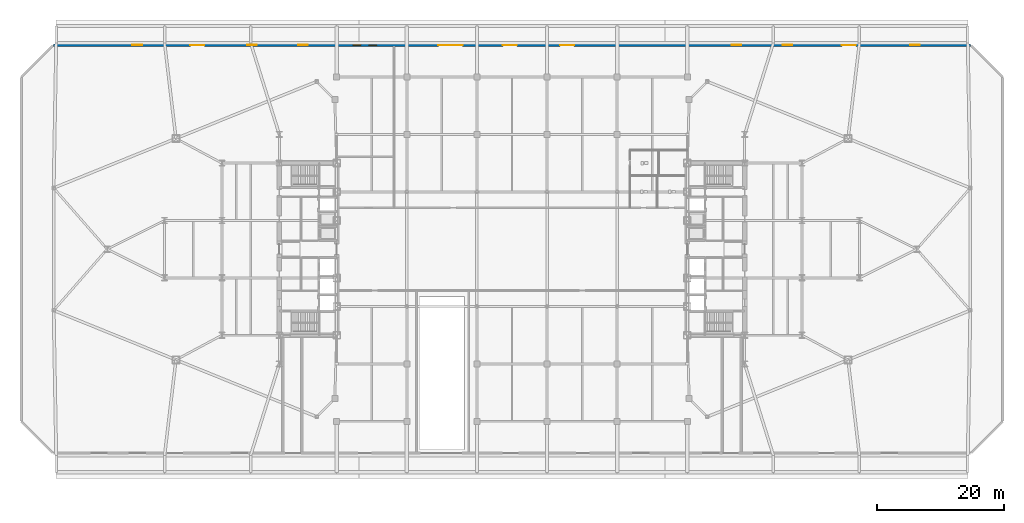
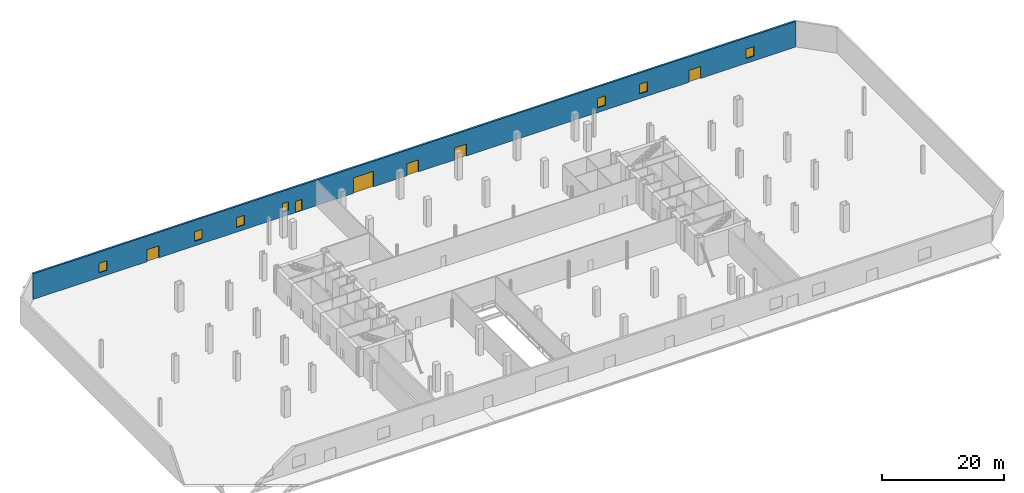
# One storey, part 16 of 21: 7 windows, 6 doors, 1 wall, 13 openings.
"""IFC4 building model written with IfcOpenShell, lengths in metres."""

from ifc_helpers import new_model, si_unit, direction, frame, frame_2d, origin, place, context, subcontext, project, spatial, rectangle, extrude, source, transform, mapped, material, layer, layer_set, type_object, type_shapes, element, fill, save


model = new_model("IFC4")

# Units and contexts
model_context = context("Model", 3, precision=1e-05, world=origin(), true_north=direction((0.0, 1.0)))
body_context = subcontext(model_context, "Body", "Model", "MODEL_VIEW")
ifc_project = project(units=[si_unit("LENGTHUNIT", "METRE"), si_unit("AREAUNIT", "SQUARE_METRE"), si_unit("VOLUMEUNIT", "CUBIC_METRE"), si_unit("PLANEANGLEUNIT", "RADIAN"), si_unit("MASSUNIT", "GRAM", prefix="KILO")], contexts=[model_context])

# Site, building, storey
site_placement = place(None, origin())
site = spatial("IfcSite", under=ifc_project, at=site_placement, CompositionType="ELEMENT")
building_placement = place(site_placement, origin())
building = spatial("IfcBuilding", under=site, at=building_placement, Name="Seokmaru Belvedere", CompositionType="ELEMENT")
storey_placement = place(building_placement, origin())
storey = spatial("IfcBuildingStorey", under=building, at=storey_placement, Name="L00", CompositionType="ELEMENT", Elevation=0.0)

# Wall, openings, doors, windows
ifc_material_1 = material(Name="Concrete C40 (40 MPa)", Category="concrete")
ifc_layer = layer(ifc_material_1, 0.360107421875)
ifc_layer_set = layer_set([ifc_layer], Name="Concrete C40 (40 MPa)")
wall_type = type_object("IfcWallType", Name="Podium Board-Formed Concrete Wall 360", PredefinedType="SOLIDWALL", material=ifc_layer_set)
wall_placement = place(storey_placement, frame((71.9599609375, 32.0, 0.0), z_axis=(0.0, 0.0, 1.0), x_axis=(-1.0, 0.0, 0.0)))
wall = element("IfcWall", 1, at=wall_placement, inside=storey, type_object=wall_type, Name="L00 Exterior Podium Wall 05", PredefinedType="SOLIDWALL", context=body_context, shape_type="SweptSolid", body=[
    extrude(rectangle(XDim=143.919921875, YDim=0.360107421875, at=frame_2d((71.9599609375, 0.0))), origin(), (0.0, 0.0, 1.0), 5.1201171875),
])
opening_1_placement = place(wall_placement, frame((18.0, 0.0, 0.0)))
opening_1 = element("IfcOpeningElement", 2, at=opening_1_placement, cuts=wall, Name="Opening DX1", PredefinedType="OPENING", context=body_context, shape_type="SweptSolid", body=[
    extrude(rectangle(XDim=2.199951171875, YDim=2.39990234375, at=frame_2d((1.10009765625, 1.199951171875))), frame((0.0, 0.18994140625, 0.0), z_axis=(0.0, -1.0, 0.0), x_axis=(1.0, 0.0, 0.0)), (0.0, 0.0, 1.0), 0.380126953125),
])
opening_2_placement = place(wall_placement, frame((62.199951171875, 0.0, 0.0)))
opening_2 = element("IfcOpeningElement", 3, at=opening_2_placement, cuts=wall, Name="Opening DX1", PredefinedType="OPENING", context=body_context, shape_type="SweptSolid", body=[
    extrude(rectangle(XDim=2.199951171875, YDim=2.39990234375, at=frame_2d((1.10009765625, 1.199951171875))), frame((0.0, 0.18994140625, 0.0), z_axis=(0.0, -1.0, 0.0), x_axis=(1.0, 0.0, 0.0)), (0.0, 0.0, 1.0), 0.380126953125),
])
opening_3_placement = place(wall_placement, frame((71.199951171875, 0.0, 0.0)))
opening_3 = element("IfcOpeningElement", 4, at=opening_3_placement, cuts=wall, Name="Opening DX1", PredefinedType="OPENING", context=body_context, shape_type="SweptSolid", body=[
    extrude(rectangle(XDim=2.199951171875, YDim=2.39990234375, at=frame_2d((1.10009765625, 1.199951171875))), frame((0.0, 0.18994140625, 0.0), z_axis=(0.0, -1.0, 0.0), x_axis=(1.0, 0.0, 0.0)), (0.0, 0.0, 1.0), 0.380126953125),
])
opening_4_placement = place(wall_placement, frame((79.699951171875, 0.0, 0.0)))
opening_4 = element("IfcOpeningElement", 5, at=opening_4_placement, cuts=wall, Name="Opening VD02", PredefinedType="OPENING", context=body_context, shape_type="SweptSolid", body=[
    extrude(rectangle(XDim=3.800048828125, YDim=3.10009765625, at=frame_2d((1.89990234375, 1.550048828125))), frame((0.0, 0.18994140625, 0.0), z_axis=(0.0, -1.0, 0.0), x_axis=(1.0, 0.0, 0.0)), (0.0, 0.0, 1.0), 0.380126953125),
])
opening_5_placement = place(wall_placement, frame((93.199951171875, 0.0, 0.0)))
opening_5 = element("IfcOpeningElement", 6, at=opening_5_placement, cuts=wall, Name="Opening DX5", PredefinedType="OPENING", context=body_context, shape_type="SweptSolid", body=[
    extrude(rectangle(XDim=1.199951171875, YDim=2.199951171875, at=frame_2d((0.60009765625, 1.10009765625))), frame((0.0, 0.18994140625, 0.0), z_axis=(0.0, -1.0, 0.0), x_axis=(1.0, 0.0, 0.0)), (0.0, 0.0, 1.0), 0.380126953125),
])
opening_6_placement = place(wall_placement, frame((120.199951171875, 0.0, 0.0)))
opening_6 = element("IfcOpeningElement", 7, at=opening_6_placement, cuts=wall, Name="Opening DX1", PredefinedType="OPENING", context=body_context, shape_type="SweptSolid", body=[
    extrude(rectangle(XDim=2.199951171875, YDim=2.39990234375, at=frame_2d((1.10009765625, 1.199951171875))), frame((0.0, 0.18994140625, 0.0), z_axis=(0.0, -1.0, 0.0), x_axis=(1.0, 0.0, 0.0)), (0.0, 0.0, 1.0), 0.380126953125),
])
opening_7_placement = place(wall_placement, frame((95.699951171875, 0.0, 0.949951171875)))
opening_7 = element("IfcOpeningElement", 8, at=opening_7_placement, cuts=wall, Name="Opening WN4", PredefinedType="OPENING", context=body_context, shape_type="SweptSolid", body=[
    extrude(rectangle(XDim=1.199951171875, YDim=1.699951171875, at=frame_2d((0.60009765625, 0.85009765625))), frame((0.0, 0.18994140625, 0.0), z_axis=(0.0, -1.0, 0.0), x_axis=(1.0, 0.0, 0.0)), (0.0, 0.0, 1.0), 0.380126953125),
])
opening_8_placement = place(wall_placement, frame((8.0, 0.0, 0.949951171875)))
opening_8 = element("IfcOpeningElement", 9, at=opening_8_placement, cuts=wall, Name="Opening WN3", PredefinedType="OPENING", context=body_context, shape_type="SweptSolid", body=[
    extrude(rectangle(XDim=1.5, YDim=1.89990234375, at=frame_2d((0.75, 0.949951171875))), frame((0.0, 0.18994140625, 0.0), z_axis=(0.0, -1.0, 0.0), x_axis=(1.0, 0.0, 0.0)), (0.0, 0.0, 1.0), 0.380126953125),
])
opening_9_placement = place(wall_placement, frame((28.0, 0.0, 0.949951171875)))
opening_9 = element("IfcOpeningElement", 10, at=opening_9_placement, cuts=wall, Name="Opening WN3", PredefinedType="OPENING", context=body_context, shape_type="SweptSolid", body=[
    extrude(rectangle(XDim=1.5, YDim=1.89990234375, at=frame_2d((0.75, 0.949951171875))), frame((0.0, 0.18994140625, 0.0), z_axis=(0.0, -1.0, 0.0), x_axis=(1.0, 0.0, 0.0)), (0.0, 0.0, 1.0), 0.380126953125),
])
opening_10_placement = place(wall_placement, frame((36.0, 0.0, 0.949951171875)))
opening_10 = element("IfcOpeningElement", 11, at=opening_10_placement, cuts=wall, Name="Opening WN3", PredefinedType="OPENING", context=body_context, shape_type="SweptSolid", body=[
    extrude(rectangle(XDim=1.5, YDim=1.89990234375, at=frame_2d((0.75, 0.949951171875))), frame((0.0, 0.18994140625, 0.0), z_axis=(0.0, -1.0, 0.0), x_axis=(1.0, 0.0, 0.0)), (0.0, 0.0, 1.0), 0.380126953125),
])
opening_11_placement = place(wall_placement, frame((104.0, 0.0, 0.949951171875)))
opening_11 = element("IfcOpeningElement", 12, at=opening_11_placement, cuts=wall, Name="Opening WN3", PredefinedType="OPENING", context=body_context, shape_type="SweptSolid", body=[
    extrude(rectangle(XDim=1.5, YDim=1.89990234375, at=frame_2d((0.75, 0.949951171875))), frame((0.0, 0.18994140625, 0.0), z_axis=(0.0, -1.0, 0.0), x_axis=(1.0, 0.0, 0.0)), (0.0, 0.0, 1.0), 0.380126953125),
])
opening_12_placement = place(wall_placement, frame((112.0, 0.0, 0.949951171875)))
opening_12 = element("IfcOpeningElement", 13, at=opening_12_placement, cuts=wall, Name="Opening WN3", PredefinedType="OPENING", context=body_context, shape_type="SweptSolid", body=[
    extrude(rectangle(XDim=1.5, YDim=1.89990234375, at=frame_2d((0.75, 0.949951171875))), frame((0.0, 0.18994140625, 0.0), z_axis=(0.0, -1.0, 0.0), x_axis=(1.0, 0.0, 0.0)), (0.0, 0.0, 1.0), 0.380126953125),
])
opening_13_placement = place(wall_placement, frame((130.0, 0.0, 0.949951171875)))
opening_13 = element("IfcOpeningElement", 14, at=opening_13_placement, cuts=wall, Name="Opening WN3", PredefinedType="OPENING", context=body_context, shape_type="SweptSolid", body=[
    extrude(rectangle(XDim=1.5, YDim=1.89990234375, at=frame_2d((0.75, 0.949951171875))), frame((0.0, 0.18994140625, 0.0), z_axis=(0.0, -1.0, 0.0), x_axis=(1.0, 0.0, 0.0)), (0.0, 0.0, 1.0), 0.380126953125),
])
ifc_material_2 = material(Name="Anodised Bronze Aluminium", Category="aluminium")
door_type_1 = type_object("IfcDoorType", Name="Grand Concourse Double Exit Door 2200x2400", OperationType="DOUBLE_SWING_LEFT", PredefinedType="DOOR", material=ifc_material_2)
shared_shape_1 = source(origin(), body_context, "Body", "SweptSolid", [
    extrude(rectangle(XDim=2.199951171875, YDim=2.39990234375, at=frame_2d((1.10009765625, 1.199951171875))), frame((0.0, 0.02490234375, 0.0), z_axis=(0.0, -1.0, 0.0), x_axis=(1.0, 0.0, 0.0)), (0.0, 0.0, 1.0), 0.050048828125),
])
type_shapes(door_type_1, [shared_shape_1])
door_1_placement = place(opening_1_placement, frame((2.199951171875, 0.0, 0.0), z_axis=(0.0, 0.0, 1.0), x_axis=(-1.0, 0.0, 0.0)))
door_1 = element("IfcDoor", 15, at=door_1_placement, inside=storey, type_object=door_type_1, Name="L00 East North Exit Door", OperationType="DOUBLE_SWING_LEFT", OverallHeight=2.39990234375, OverallWidth=2.199951171875, PredefinedType="DOOR", context=body_context, shape_type="MappedRepresentation", body=[
    mapped(shared_shape_1, transform((0.0, 0.0, 0.0), scale=1.0)),
])
fill(opening_1, door_1)
door_2_placement = place(opening_2_placement, frame((2.199951171875, 0.0, 0.0), z_axis=(0.0, 0.0, 1.0), x_axis=(-1.0, 0.0, 0.0)))
door_2 = element("IfcDoor", 16, at=door_2_placement, inside=storey, type_object=door_type_1, Name="L00 Observatory Hall Exit Door 1", OperationType="DOUBLE_SWING_LEFT", OverallHeight=2.39990234375, OverallWidth=2.199951171875, PredefinedType="DOOR", context=body_context, shape_type="MappedRepresentation", body=[
    mapped(shared_shape_1, transform((0.0, 0.0, 0.0), scale=1.0)),
])
fill(opening_2, door_2)
door_3_placement = place(opening_3_placement, frame((2.199951171875, 0.0, 0.0), z_axis=(0.0, 0.0, 1.0), x_axis=(-1.0, 0.0, 0.0)))
door_3 = element("IfcDoor", 17, at=door_3_placement, inside=storey, type_object=door_type_1, Name="L00 Observatory Hall Exit Door 2", OperationType="DOUBLE_SWING_LEFT", OverallHeight=2.39990234375, OverallWidth=2.199951171875, PredefinedType="DOOR", context=body_context, shape_type="MappedRepresentation", body=[
    mapped(shared_shape_1, transform((0.0, 0.0, 0.0), scale=1.0)),
])
fill(opening_3, door_3)
door_4_placement = place(opening_6_placement, frame((2.199951171875, 0.0, 0.0), z_axis=(0.0, 0.0, 1.0), x_axis=(-1.0, 0.0, 0.0)))
door_4 = element("IfcDoor", 18, at=door_4_placement, inside=storey, type_object=door_type_1, Name="L00 West North Exit Door", OperationType="DOUBLE_SWING_LEFT", OverallHeight=2.39990234375, OverallWidth=2.199951171875, PredefinedType="DOOR", context=body_context, shape_type="MappedRepresentation", body=[
    mapped(shared_shape_1, transform((0.0, 0.0, 0.0), scale=1.0)),
])
fill(opening_6, door_4)
ifc_material_3 = material(Name="Fire-Rated Steel Leaf", Category="steel")
door_type_2 = type_object("IfcDoorType", Name="Service Loading Bay Roller Shutter Gate 3800x3100", OperationType="ROLLINGUP", PredefinedType="GATE", material=ifc_material_3)
shared_shape_2 = source(origin(), body_context, "Body", "SweptSolid", [
    extrude(rectangle(XDim=3.800048828125, YDim=3.10009765625, at=frame_2d((1.89990234375, 1.550048828125))), frame((0.0, 0.02490234375, 0.0), z_axis=(0.0, -1.0, 0.0), x_axis=(1.0, 0.0, 0.0)), (0.0, 0.0, 1.0), 0.050048828125),
])
type_shapes(door_type_2, [shared_shape_2])
door_5_placement = place(opening_4_placement, frame((3.800048828125, 0.0, 0.0), z_axis=(0.0, 0.0, 1.0), x_axis=(-1.0, 0.0, 0.0)))
door_5 = element("IfcDoor", 19, at=door_5_placement, inside=storey, type_object=door_type_2, Name="L00 Service Loading Shutter Gate VD-02", OperationType="ROLLINGUP", OverallHeight=3.10009765625, OverallWidth=3.800048828125, PredefinedType="GATE", context=body_context, shape_type="MappedRepresentation", body=[
    mapped(shared_shape_2, transform((0.0, 0.0, 0.0), scale=1.0)),
])
fill(opening_4, door_5)
door_type_3 = type_object("IfcDoorType", Name="Exterior Fire-Service Access Door 1200x2200", OperationType="NOTDEFINED", PredefinedType="DOOR", material=ifc_material_2)
shared_shape_3 = source(origin(), body_context, "Body", "SweptSolid", [
    extrude(rectangle(XDim=1.199951171875, YDim=2.199951171875, at=frame_2d((0.60009765625, 1.10009765625))), frame((0.0, 0.02490234375, 0.0), z_axis=(0.0, -1.0, 0.0), x_axis=(1.0, 0.0, 0.0)), (0.0, 0.0, 1.0), 0.050048828125),
])
type_shapes(door_type_3, [shared_shape_3])
door_6_placement = place(opening_5_placement, frame((1.199951171875, 0.0, 0.0), z_axis=(0.0, 0.0, 1.0), x_axis=(-1.0, 0.0, 0.0)))
door_6 = element("IfcDoor", 20, at=door_6_placement, inside=storey, type_object=door_type_3, Name="L00 Fire Command Access Door", OperationType="SINGLE_SWING_RIGHT", OverallHeight=2.199951171875, OverallWidth=1.199951171875, PredefinedType="DOOR", context=body_context, shape_type="MappedRepresentation", body=[
    mapped(shared_shape_3, transform((0.0, 0.0, 0.0), scale=1.0)),
])
fill(opening_5, door_6)
ifc_material_4 = material(Name="Bronze Triple Insulating Glass", Category="glass")
window_type_1 = type_object("IfcWindowType", Name="Fire Command Observation Window 1200x1700", PartitioningType="SINGLE_PANEL", PredefinedType="WINDOW", material=ifc_material_4)
shared_shape_4 = source(origin(), body_context, "Body", "SweptSolid", [
    extrude(rectangle(XDim=1.199951171875, YDim=1.699951171875, at=frame_2d((0.60009765625, 0.85009765625))), frame((0.0, 0.030029296875, 0.0), z_axis=(0.0, -1.0, 0.0), x_axis=(1.0, 0.0, 0.0)), (0.0, 0.0, 1.0), 0.06005859375),
])
type_shapes(window_type_1, [shared_shape_4])
window_1_placement = place(opening_7_placement, origin())
window_1 = element("IfcWindow", 21, at=window_1_placement, inside=storey, type_object=window_type_1, Name="L00 Fire Command Observation Window", OverallHeight=1.699951171875, OverallWidth=1.199951171875, PartitioningType="SINGLE_PANEL", PredefinedType="WINDOW", context=body_context, shape_type="MappedRepresentation", body=[
    mapped(shared_shape_4, transform((0.0, 0.0, 0.0), scale=1.0)),
])
fill(opening_7, window_1)
window_type_2 = type_object("IfcWindowType", Name="Retail Display Clerestory Window 1500x1900", PartitioningType="SINGLE_PANEL", PredefinedType="WINDOW", material=ifc_material_4)
shared_shape_5 = source(origin(), body_context, "Body", "SweptSolid", [
    extrude(rectangle(XDim=1.5, YDim=1.89990234375, at=frame_2d((0.75, 0.949951171875))), frame((0.0, 0.030029296875, 0.0), z_axis=(0.0, -1.0, 0.0), x_axis=(1.0, 0.0, 0.0)), (0.0, 0.0, 1.0), 0.06005859375),
])
type_shapes(window_type_2, [shared_shape_5])
window_2_placement = place(opening_8_placement, origin())
window_2 = element("IfcWindow", 22, at=window_2_placement, inside=storey, type_object=window_type_2, Name="L00 North Podium Window 01", OverallHeight=1.89990234375, OverallWidth=1.5, PartitioningType="SINGLE_PANEL", PredefinedType="WINDOW", context=body_context, shape_type="MappedRepresentation", body=[
    mapped(shared_shape_5, transform((0.0, 0.0, 0.0), scale=1.0)),
])
fill(opening_8, window_2)
window_3_placement = place(opening_9_placement, origin())
window_3 = element("IfcWindow", 23, at=window_3_placement, inside=storey, type_object=window_type_2, Name="L00 North Podium Window 02", OverallHeight=1.89990234375, OverallWidth=1.5, PartitioningType="SINGLE_PANEL", PredefinedType="WINDOW", context=body_context, shape_type="MappedRepresentation", body=[
    mapped(shared_shape_5, transform((0.0, 0.0, 0.0), scale=1.0)),
])
fill(opening_9, window_3)
window_4_placement = place(opening_10_placement, origin())
window_4 = element("IfcWindow", 24, at=window_4_placement, inside=storey, type_object=window_type_2, Name="L00 North Podium Window 03", OverallHeight=1.89990234375, OverallWidth=1.5, PartitioningType="SINGLE_PANEL", PredefinedType="WINDOW", context=body_context, shape_type="MappedRepresentation", body=[
    mapped(shared_shape_5, transform((0.0, 0.0, 0.0), scale=1.0)),
])
fill(opening_10, window_4)
window_5_placement = place(opening_11_placement, origin())
window_5 = element("IfcWindow", 25, at=window_5_placement, inside=storey, type_object=window_type_2, Name="L00 North Podium Window 04", OverallHeight=1.89990234375, OverallWidth=1.5, PartitioningType="SINGLE_PANEL", PredefinedType="WINDOW", context=body_context, shape_type="MappedRepresentation", body=[
    mapped(shared_shape_5, transform((0.0, 0.0, 0.0), scale=1.0)),
])
fill(opening_11, window_5)
window_6_placement = place(opening_12_placement, origin())
window_6 = element("IfcWindow", 26, at=window_6_placement, inside=storey, type_object=window_type_2, Name="L00 North Podium Window 05", OverallHeight=1.89990234375, OverallWidth=1.5, PartitioningType="SINGLE_PANEL", PredefinedType="WINDOW", context=body_context, shape_type="MappedRepresentation", body=[
    mapped(shared_shape_5, transform((0.0, 0.0, 0.0), scale=1.0)),
])
fill(opening_12, window_6)
window_7_placement = place(opening_13_placement, origin())
window_7 = element("IfcWindow", 27, at=window_7_placement, inside=storey, type_object=window_type_2, Name="L00 North Podium Window 06", OverallHeight=1.89990234375, OverallWidth=1.5, PartitioningType="SINGLE_PANEL", PredefinedType="WINDOW", context=body_context, shape_type="MappedRepresentation", body=[
    mapped(shared_shape_5, transform((0.0, 0.0, 0.0), scale=1.0)),
])
fill(opening_13, window_7)

save(model, "model.ifc")
